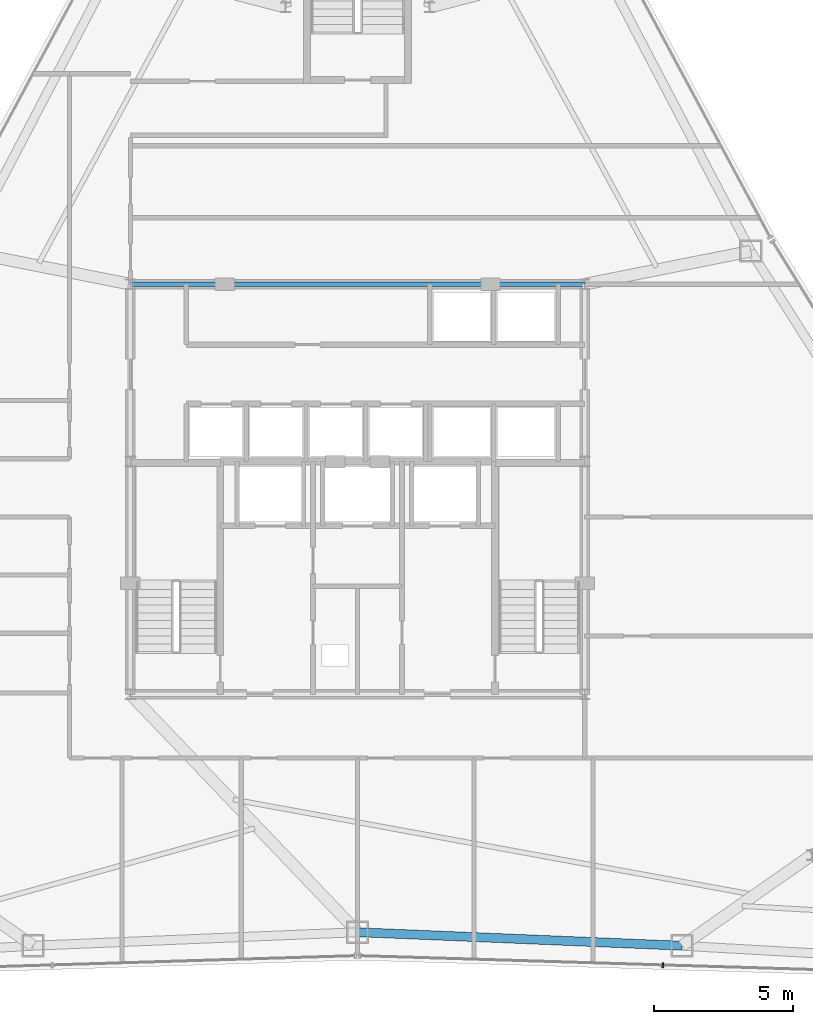
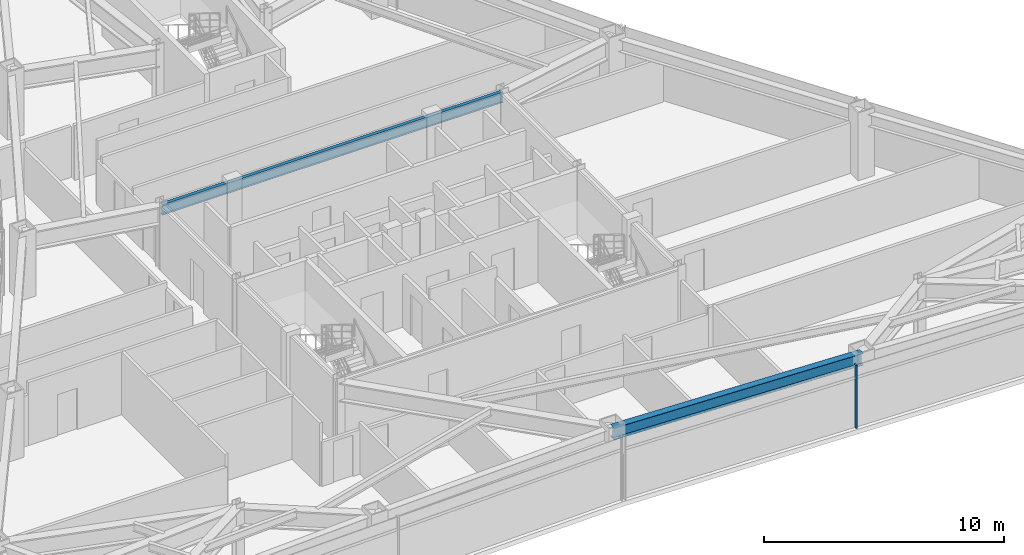
# One storey, part 6 of 13: 2 beams, 1 member, 1 element without a shape of its own.
"""IFC4 building model written with IfcOpenShell, lengths in metres."""

from ifc_helpers import new_model, si_unit, direction, frame, origin, origin_2d, place, context, subcontext, project, spatial, rectangle, i_section, extrude, source, transform, mapped, material, layer, layer_set, material_profile, profile_set, type_object, type_shapes, element, aggregate, save


model = new_model("IFC4")

# Units and contexts
model_context = context("Model", 3, precision=1e-05, world=origin(), true_north=direction((0.0, 1.0)))
body_context = subcontext(model_context, "Body", "Model", "MODEL_VIEW")
ifc_project = project(units=[si_unit("LENGTHUNIT", "METRE"), si_unit("AREAUNIT", "SQUARE_METRE"), si_unit("VOLUMEUNIT", "CUBIC_METRE"), si_unit("PLANEANGLEUNIT", "RADIAN"), si_unit("MASSUNIT", "GRAM", prefix="KILO")], contexts=[model_context])

# Site, building, storey
site_placement = place(None, origin())
site = spatial("IfcSite", under=ifc_project, at=site_placement, CompositionType="ELEMENT")
building_placement = place(site_placement, origin())
building = spatial("IfcBuilding", under=site, at=building_placement, Name="Varakhsha Concourse Tower", CompositionType="ELEMENT")
storey_placement = place(building_placement, frame((0.0, 0.0, 165.449951171875)))
storey = spatial("IfcBuildingStorey", under=building, at=storey_placement, Name="L47", CompositionType="ELEMENT", Elevation=165.449951171875)

# Beams
ifc_material_1 = material(Name="Structural Steel ASTM A992 Grade 50", Category="steel")
ifc_material_profile_1 = material_profile(ifc_material_1, i_section(OverallWidth=0.1669921875, OverallDepth=0.534912109375, WebThickness=0.010009765625, FlangeThickness=0.01708984375, at=origin_2d()), Name="W21X57")
ifc_profile_set_1 = profile_set([ifc_material_profile_1], Name="Structural Steel ASTM A992 Grade 50")
beam_type_1 = type_object("IfcBeamType", Name="BM-RAD-W21X57", PredefinedType="BEAM", material=ifc_profile_set_1)
beam_1_placement = place(storey_placement, frame((31.800048828125, 31.199951171875, 2.942626953125), z_axis=(1.0, 0.0, 0.0), x_axis=(0.0, 1.0, 0.0)))
element("IfcBeam", 1, at=beam_1_placement, inside=storey, type_object=beam_type_1, Name="BM-TCORE-L47-CN", PredefinedType="BEAM", context=body_context, shape_type="SweptSolid", body=[
    extrude(i_section(OverallWidth=0.1669921875, OverallDepth=0.534912109375, WebThickness=0.010009765625, FlangeThickness=0.01708984375, at=origin_2d()), origin(), (0.0, 0.0, 1.0), 16.39990234375),
])
ifc_material_profile_2 = material_profile(ifc_material_1, i_section(OverallWidth=0.323974609375, OverallDepth=0.611083984375, WebThickness=0.012939453125, FlangeThickness=0.01904296875, at=origin_2d()), Name="W24X104")
ifc_profile_set_2 = profile_set([ifc_material_profile_2], Name="Structural Steel ASTM A992 Grade 50")
beam_type_2 = type_object("IfcBeamType", Name="BM-SPAN-W24X104", PredefinedType="SPANDREL", material=ifc_profile_set_2)
beam_2_placement = place(storey_placement, frame((40.0, 7.812255859375, 2.904541015625), z_axis=(0.999128809081, -0.041732755292, 0.0), x_axis=(0.041732755292, 0.999128809081, 0.0)))
element("IfcBeam", 2, at=beam_2_placement, inside=storey, type_object=beam_type_2, Name="BM-SPAN-L47-11", PredefinedType="SPANDREL", context=body_context, shape_type="SweptSolid", body=[
    extrude(i_section(OverallWidth=0.323974609375, OverallDepth=0.611083984375, WebThickness=0.012939453125, FlangeThickness=0.01904296875, at=origin_2d()), origin(), (0.0, 0.0, 1.0), 11.7236328125),
])

# Curtain wall, member
ifc_material_2 = material(Name="Anodised Bronze Architectural Aluminium AA 6063-T6", Category="aluminium")
ifc_layer = layer(ifc_material_2, 0.2099609375, Name="CW-SYS-04")
ifc_layer_set = layer_set([ifc_layer], Name="Anodised Bronze Architectural Aluminium AA 6063-T6")
curtain_wall_type = type_object("IfcCurtainWallType", Name="CW-SYS-04", PredefinedType="NOTDEFINED", material=ifc_layer_set)
curtain_wall_placement = place(storey_placement, origin())
curtain_wall = element("IfcCurtainWall", 3, at=curtain_wall_placement, inside=storey, type_object=curtain_wall_type, Name="L47 Crystal Curtain Wall F6", PredefinedType="NOTDEFINED")
ifc_material_profile_3 = material_profile(ifc_material_2, rectangle(XDim=0.06494140625, YDim=0.179931640625, at=origin_2d()), Name="CWM-180X65")
ifc_profile_set_3 = profile_set([ifc_material_profile_3], Name="Anodised Bronze Architectural Aluminium AA 6063-T6")
member_type = type_object("IfcMemberType", Name="CWM-180X65", PredefinedType="MULLION", material=ifc_profile_set_3)
shared_shape = source(origin(), body_context, "Body", "SweptSolid", [
    extrude(rectangle(XDim=0.06494140625, YDim=0.179931640625, at=origin_2d()), origin(), (0.0, 0.0, 1.0), 3.2099609375),
])
type_shapes(member_type, [shared_shape])
member_placement = place(storey_placement, frame((51.021728515625, 6.623779296875, 0.0), z_axis=(0.0, 0.0, 1.0), x_axis=(-0.999534017137, 0.030524557085, 0.0)))
member = element("IfcMember", 4, at=member_placement, type_object=member_type, Name="CW-L47-F6 Mullion 01", PredefinedType="MULLION", context=body_context, shape_type="MappedRepresentation", body=[
    mapped(shared_shape, transform((0.0, 0.0, 0.0), scale=1.0)),
])
aggregate(curtain_wall, [member])

save(model, "model.ifc")
